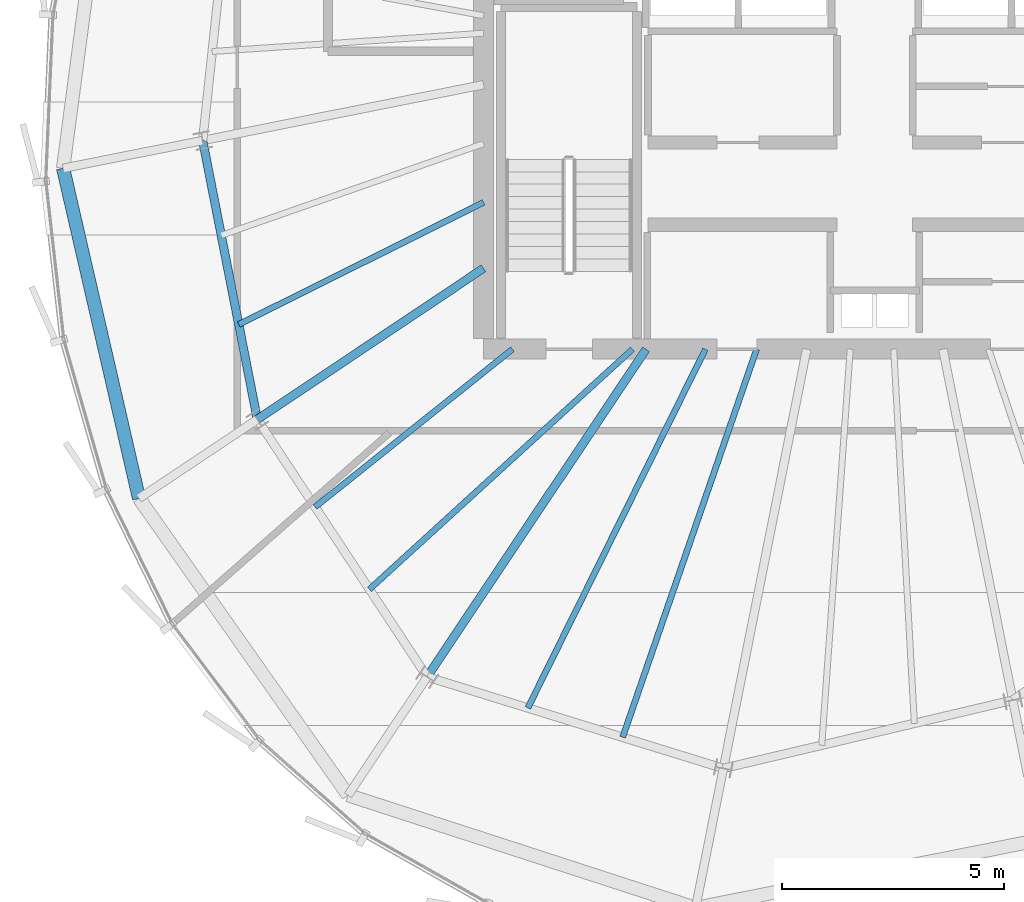
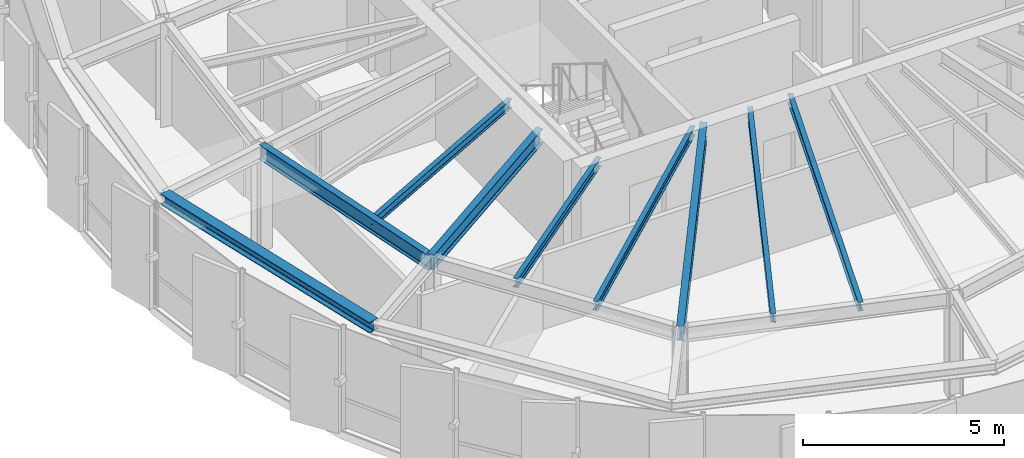
# One storey, part 5 of 31: 9 beams.
"""IFC4 building model written with IfcOpenShell, lengths in metres."""

from ifc_helpers import new_model, si_unit, direction, frame, origin, origin_2d, place, context, subcontext, project, spatial, i_section, extrude, source, transform, mapped, material, material_profile, profile_set, type_object, element, save


model = new_model("IFC4")

# Units and contexts
model_context = context("Model", 3, precision=1e-05, world=origin(), true_north=direction((0.0, 1.0)))
body_context = subcontext(model_context, "Body", "Model", "MODEL_VIEW")
ifc_project = project(units=[si_unit("LENGTHUNIT", "METRE"), si_unit("AREAUNIT", "SQUARE_METRE"), si_unit("VOLUMEUNIT", "CUBIC_METRE"), si_unit("PLANEANGLEUNIT", "RADIAN"), si_unit("MASSUNIT", "GRAM", prefix="KILO"), si_unit("THERMODYNAMICTEMPERATUREUNIT", "KELVIN")], contexts=[model_context])

# Site, building, storey
site_placement = place(None, origin())
site = spatial("IfcSite", under=ifc_project, at=site_placement, CompositionType="ELEMENT")
building_placement = place(site_placement, origin())
building = spatial("IfcBuilding", under=site, at=building_placement, Name="Kethvar Cultural Tower", CompositionType="ELEMENT")
storey_placement = place(building_placement, frame((0.0, 0.0, 300.85009765625)))
storey = spatial("IfcBuildingStorey", under=building, at=storey_placement, Name="L80", CompositionType="ELEMENT", Elevation=300.85009765625)

# Beams
ifc_material = material(Name="Steel S355J2", Category="steel")
ifc_material_profile_1 = material_profile(ifc_material, i_section(OverallWidth=0.18994140625, OverallDepth=0.449951171875, WebThickness=0.009521484375, FlangeThickness=0.0146484375, FilletRadius=0.02099609375, at=origin_2d()), Name="Steel S355J2 — IPE450")
ifc_profile_set_1 = profile_set([ifc_material_profile_1], Name="Steel S355J2 — IPE450")
beam_type_1 = type_object("IfcBeamType", Name="BM-IPE450", PredefinedType="BEAM", material=ifc_profile_set_1)
shared_shape_1 = source(origin(), body_context, "Body", "SweptSolid", [
    extrude(i_section(OverallWidth=0.18994140625, OverallDepth=0.449951171875, WebThickness=0.009521484375, FlangeThickness=0.0146484375, FilletRadius=0.02099609375, at=origin_2d()), origin(), (0.0, 0.0, 1.0), 6.118408203125),
])
beam_1_placement = place(storey_placement, frame((38.0, 21.920166015625, 2.9580078125), z_axis=(-0.831466631282, -0.555574694406, 0.0), x_axis=(0.555574694406, -0.831466631282, 0.0)))
element("IfcBeam", 1, at=beam_1_placement, inside=storey, type_object=beam_type_1, Name="L80 Primary Radial Beam RB-10", PredefinedType="BEAM", context=body_context, shape_type="MappedRepresentation", body=[
    mapped(shared_shape_1, transform((0.0, 0.0, 0.0), scale=1.0)),
])
shared_shape_2 = source(origin(), body_context, "Body", "SweptSolid", [
    extrude(i_section(OverallWidth=0.18994140625, OverallDepth=0.449951171875, WebThickness=0.009521484375, FlangeThickness=0.0146484375, FilletRadius=0.02099609375, at=origin_2d()), origin(), (0.0, 0.0, 1.0), 8.86279296875),
])
beam_2_placement = place(storey_placement, frame((41.655029296875, 20.10009765625, 2.9580078125), z_axis=(-0.555564443415, -0.831473480764, 0.0), x_axis=(0.831473480764, -0.555564443415, 0.0)))
element("IfcBeam", 2, at=beam_2_placement, inside=storey, type_object=beam_type_1, Name="L80 Primary Radial Beam RB-11", PredefinedType="BEAM", context=body_context, shape_type="MappedRepresentation", body=[
    mapped(shared_shape_2, transform((0.0, 0.0, 0.0), scale=1.0)),
])
shared_shape_3 = source(origin(), body_context, "Body", "SweptSolid", [
    extrude(i_section(OverallWidth=0.18994140625, OverallDepth=0.449951171875, WebThickness=0.009521484375, FlangeThickness=0.0146484375, FilletRadius=0.02099609375, at=origin_2d()), origin(), (0.0, 0.0, 1.0), 6.391357421875),
])
beam_3_placement = place(storey_placement, frame((31.68310546875, 24.79296875, 2.9580078125), z_axis=(0.192405084368, -0.981315588131, 0.0), x_axis=(0.981315588131, 0.192405084368, 0.0)))
element("IfcBeam", 3, at=beam_3_placement, inside=storey, type_object=beam_type_1, Name="L80 Column Ring Tie Beam CR-09", PredefinedType="BEAM", context=body_context, shape_type="MappedRepresentation", body=[
    mapped(shared_shape_3, transform((0.0, 0.0, 0.0), scale=1.0)),
])
ifc_material_profile_2 = material_profile(ifc_material, i_section(OverallWidth=0.300048828125, OverallDepth=0.320068359375, WebThickness=0.011474609375, FlangeThickness=0.0205078125, FilletRadius=0.027099609375, at=origin_2d()), Name="Steel S355J2 — HEB320")
ifc_profile_set_2 = profile_set([ifc_material_profile_2], Name="Steel S355J2 — HEB320")
beam_type_2 = type_object("IfcBeamType", Name="BM-SP320", PredefinedType="SPANDREL", material=ifc_profile_set_2)
shared_shape_4 = source(origin(), body_context, "Body", "SweptSolid", [
    extrude(i_section(OverallWidth=0.300048828125, OverallDepth=0.320068359375, WebThickness=0.011474609375, FlangeThickness=0.0205078125, FilletRadius=0.027099609375, at=origin_2d()), origin(), (0.0, 0.0, 1.0), 7.619384765625),
])
beam_4_placement = place(storey_placement, frame((28.54443359375, 24.168701171875, 3.02294921875), z_axis=(0.224133998424, -0.974558336248, 0.0), x_axis=(0.974558336248, 0.224133998424, 0.0)))
element("IfcBeam", 4, at=beam_4_placement, inside=storey, type_object=beam_type_2, Name="L80 Perimeter Spandrel Beam SP-09", PredefinedType="SPANDREL", context=body_context, shape_type="MappedRepresentation", body=[
    mapped(shared_shape_4, transform((0.0, 0.0, 0.0), scale=1.0)),
])
ifc_material_profile_3 = material_profile(ifc_material, i_section(OverallWidth=0.135009765625, OverallDepth=0.27001953125, WebThickness=0.006591796875, FlangeThickness=0.01025390625, FilletRadius=0.014892578125, at=origin_2d()), Name="Steel S355J2 — IPE270")
ifc_profile_set_3 = profile_set([ifc_material_profile_3], Name="Steel S355J2 — IPE270")
beam_type_3 = type_object("IfcBeamType", Name="BM-J270", PredefinedType="JOIST", material=ifc_profile_set_3)
shared_shape_5 = source(origin(), body_context, "Body", "SweptSolid", [
    extrude(i_section(OverallWidth=0.135009765625, OverallDepth=0.27001953125, WebThickness=0.006591796875, FlangeThickness=0.01025390625, FilletRadius=0.014892578125, at=origin_2d()), origin(), (0.0, 0.0, 1.0), 6.154052734375),
])
beam_5_placement = place(storey_placement, frame((38.0, 23.40380859375, 3.0478515625), z_axis=(-0.89458581954, -0.446896197655, 0.0), x_axis=(0.446896197655, -0.89458581954, 0.0)))
element("IfcBeam", 5, at=beam_5_placement, inside=storey, type_object=beam_type_3, Name="L80 Composite Floor Joist J-09B", PredefinedType="JOIST", context=body_context, shape_type="MappedRepresentation", body=[
    mapped(shared_shape_5, transform((0.0, 0.0, 0.0), scale=1.0)),
])
shared_shape_6 = source(origin(), body_context, "Body", "SweptSolid", [
    extrude(i_section(OverallWidth=0.135009765625, OverallDepth=0.27001953125, WebThickness=0.006591796875, FlangeThickness=0.01025390625, FilletRadius=0.014892578125, at=origin_2d()), origin(), (0.0, 0.0, 1.0), 5.68212890625),
])
beam_6_placement = place(storey_placement, frame((38.64990234375, 20.10009765625, 3.0478515625), z_axis=(-0.781157957733, -0.624333440615, 0.0), x_axis=(0.624333440615, -0.781157957733, 0.0)))
element("IfcBeam", 6, at=beam_6_placement, inside=storey, type_object=beam_type_3, Name="L80 Composite Floor Joist J-10A", PredefinedType="JOIST", context=body_context, shape_type="MappedRepresentation", body=[
    mapped(shared_shape_6, transform((0.0, 0.0, 0.0), scale=1.0)),
])
shared_shape_7 = source(origin(), body_context, "Body", "SweptSolid", [
    extrude(i_section(OverallWidth=0.135009765625, OverallDepth=0.27001953125, WebThickness=0.006591796875, FlangeThickness=0.01025390625, FilletRadius=0.014892578125, at=origin_2d()), origin(), (0.0, 0.0, 1.0), 8.010986328125),
])
beam_7_placement = place(storey_placement, frame((41.35009765625, 20.10009765625, 3.0478515625), z_axis=(-0.738614798856, -0.674127717061, 0.0), x_axis=(0.674127717061, -0.738614798856, 0.0)))
element("IfcBeam", 7, at=beam_7_placement, inside=storey, type_object=beam_type_3, Name="L80 Composite Floor Joist J-10B", PredefinedType="JOIST", context=body_context, shape_type="MappedRepresentation", body=[
    mapped(shared_shape_7, transform((0.0, 0.0, 0.0), scale=1.0)),
])
shared_shape_8 = source(origin(), body_context, "Body", "SweptSolid", [
    extrude(i_section(OverallWidth=0.135009765625, OverallDepth=0.27001953125, WebThickness=0.006591796875, FlangeThickness=0.01025390625, FilletRadius=0.014892578125, at=origin_2d()), origin(), (0.0, 0.0, 1.0), 9.00341796875),
])
beam_8_placement = place(storey_placement, frame((42.989501953125, 20.10009765625, 3.0478515625), z_axis=(-0.443543695319, -0.896252749141, 0.0), x_axis=(0.896252749141, -0.443543695319, 0.0)))
element("IfcBeam", 8, at=beam_8_placement, inside=storey, type_object=beam_type_3, Name="L80 Composite Floor Joist J-11A", PredefinedType="JOIST", context=body_context, shape_type="MappedRepresentation", body=[
    mapped(shared_shape_8, transform((0.0, 0.0, 0.0), scale=1.0)),
])
shared_shape_9 = source(origin(), body_context, "Body", "SweptSolid", [
    extrude(i_section(OverallWidth=0.135009765625, OverallDepth=0.27001953125, WebThickness=0.006591796875, FlangeThickness=0.01025390625, FilletRadius=0.014892578125, at=origin_2d()), origin(), (0.0, 0.0, 1.0), 9.234130859375),
])
beam_9_placement = place(storey_placement, frame((44.1416015625, 20.10009765625, 3.0478515625), z_axis=(-0.326362208058, -0.945244787953, 0.0), x_axis=(0.945244787953, -0.326362208058, 0.0)))
element("IfcBeam", 9, at=beam_9_placement, inside=storey, type_object=beam_type_3, Name="L80 Composite Floor Joist J-11B", PredefinedType="JOIST", context=body_context, shape_type="MappedRepresentation", body=[
    mapped(shared_shape_9, transform((0.0, 0.0, 0.0), scale=1.0)),
])

save(model, "model.ifc")
